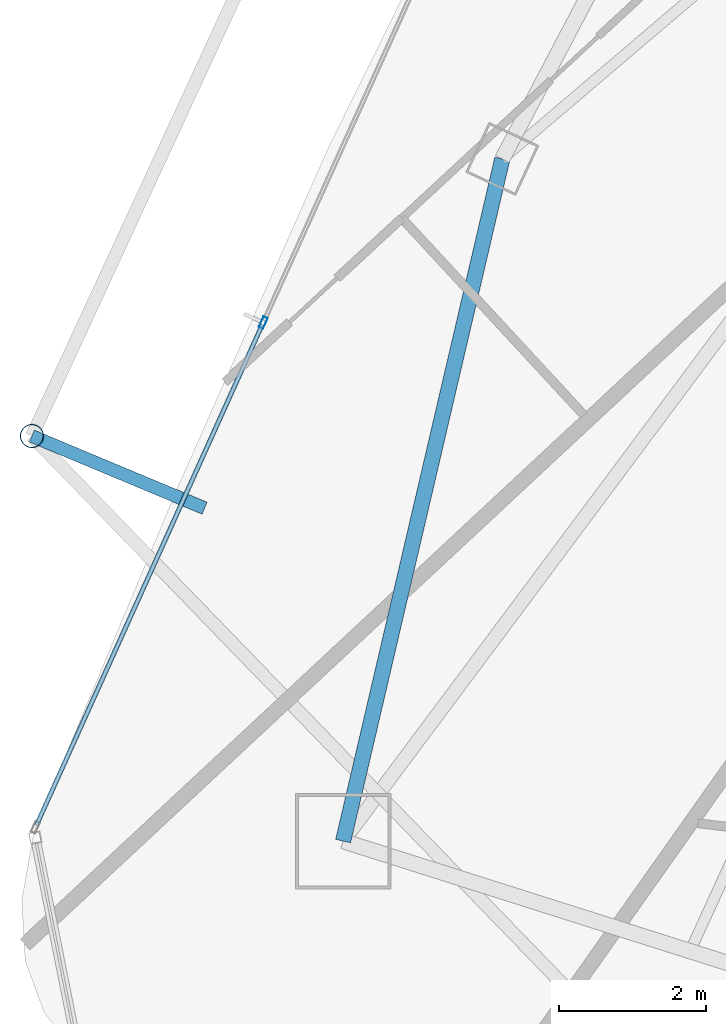
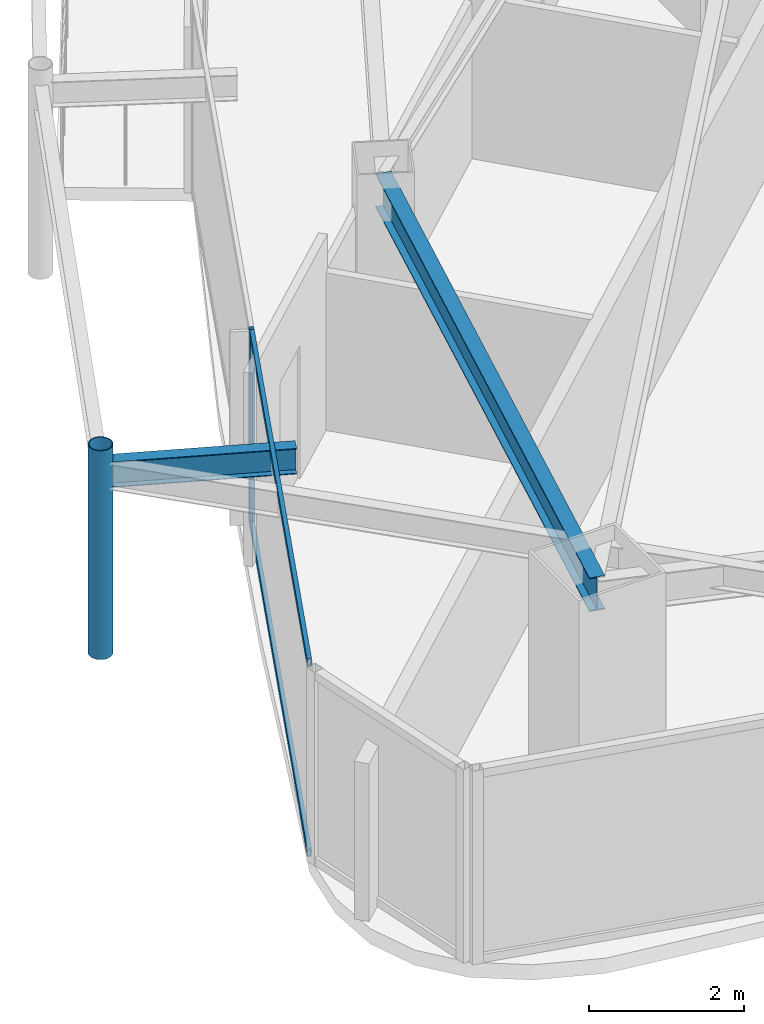
# One storey, part 5 of 32: 4 members, 2 beams, 1 element without a shape of its own.
"""IFC4 building model written with IfcOpenShell, lengths in metres."""

from ifc_helpers import new_model, si_unit, direction, frame, origin, origin_2d, place, context, subcontext, project, spatial, hollow_rectangle, hollow_circle, i_section, extrude, material, layer, layer_set, material_profile, profile_set, type_object, element, aggregate, save


model = new_model("IFC4")

# Units and contexts
model_context = context("Model", 3, precision=1e-05, world=origin(), true_north=direction((0.0, 1.0)))
body_context = subcontext(model_context, "Body", "Model", "MODEL_VIEW")
ifc_project = project(units=[si_unit("LENGTHUNIT", "METRE"), si_unit("AREAUNIT", "SQUARE_METRE"), si_unit("VOLUMEUNIT", "CUBIC_METRE"), si_unit("PLANEANGLEUNIT", "RADIAN"), si_unit("MASSUNIT", "GRAM", prefix="KILO")], contexts=[model_context])

# Site, building, storey
site_placement = place(None, origin())
site = spatial("IfcSite", under=ifc_project, at=site_placement, CompositionType="ELEMENT")
building_placement = place(site_placement, origin())
building = spatial("IfcBuilding", under=site, at=building_placement, Name="Orvanel Arch Residences", CompositionType="ELEMENT")
storey_placement = place(building_placement, frame((0.0, 0.0, 219.5)))
storey = spatial("IfcBuildingStorey", under=building, at=storey_placement, Name="L62", CompositionType="ELEMENT", Elevation=219.5)

# Curtain wall, member
ifc_material_1 = material(Name="Bronze-anodised aluminium AA6063-T6", Category="aluminium")
ifc_layer = layer(ifc_material_1, 0.175048828125)
ifc_layer_set = layer_set([ifc_layer], Name="Bronze-anodised aluminium AA6063-T6")
curtain_wall_type = type_object("IfcCurtainWallType", Name="CW4-HI-SYS", PredefinedType="NOTDEFINED", material=ifc_layer_set)
curtain_wall_placement = place(storey_placement, origin())
curtain_wall = element("IfcCurtainWall", 1, at=curtain_wall_placement, inside=storey, type_object=curtain_wall_type, Name="L62 CW4-HI-SYS Unitised Curtain Wall", PredefinedType="NOTDEFINED")
ifc_material_profile_1 = material_profile(ifc_material_1, hollow_rectangle(XDim=0.06494140625, YDim=0.159912109375, WallThickness=0.00390625, at=origin_2d()), Name="ALU160x65x4")
ifc_profile_set_1 = profile_set([ifc_material_profile_1], Name="Bronze-anodised aluminium AA6063-T6")
member_type_1 = type_object("IfcMemberType", Name="MUL-160x65", PredefinedType="MULLION", material=ifc_profile_set_1)
member_1_placement = place(storey_placement, frame((13.111572265625, 17.41259765625, 0.0), z_axis=(0.0, 0.0, 1.0), x_axis=(0.911480004164, -0.411344383709, 0.0)))
member_1 = element("IfcMember", 2, at=member_1_placement, type_object=member_type_1, Name="CW-S4 mullion 2", PredefinedType="MULLION", context=body_context, shape_type="SweptSolid", body=[
    extrude(hollow_rectangle(XDim=0.06494140625, YDim=0.159912109375, WallThickness=0.00390625, at=origin_2d()), origin(), (0.0, 0.0, 1.0), 3.06005859375),
])

# Beams
ifc_material_2 = material(Name="Structural steel AS/NZS 3679.1 Grade 300 (300 MPa)", Category="steel")
ifc_material_profile_2 = material_profile(ifc_material_2, i_section(OverallWidth=0.177978515625, OverallDepth=0.406005859375, WebThickness=0.0078125, FlangeThickness=0.0126953125, at=origin_2d()), Name="410UB59.7")
ifc_profile_set_2 = profile_set([ifc_material_profile_2], Name="Structural steel AS/NZS 3679.1 Grade 300 (300 MPa)")
beam_type_1 = type_object("IfcBeamType", Name="OB-410UB-EXT", PredefinedType="SPANDREL", material=ifc_profile_set_2)
beam_1_placement = place(storey_placement, frame((12.31298828125, 14.885009765625, 2.85693359375), z_axis=(-0.92267405935, 0.38558083485, 0.0), x_axis=(-0.38558083485, -0.92267405935, 0.0)))
element("IfcBeam", 3, at=beam_1_placement, inside=storey, type_object=beam_type_1, Name="L62 Outer Frame Radial Tie Beam 04", PredefinedType="SPANDREL", context=body_context, shape_type="SweptSolid", body=[
    extrude(i_section(OverallWidth=0.177978515625, OverallDepth=0.406005859375, WebThickness=0.0078125, FlangeThickness=0.0126953125, at=origin_2d()), origin(), (0.0, 0.0, 1.0), 2.549072265625),
])
ifc_material_profile_3 = material_profile(ifc_material_2, i_section(OverallWidth=0.208984375, OverallDepth=0.532958984375, WebThickness=0.01025390625, FlangeThickness=0.015625, at=origin_2d()), Name="530UB92.4")
ifc_profile_set_3 = profile_set([ifc_material_profile_3], Name="Structural steel AS/NZS 3679.1 Grade 300 (300 MPa)")
beam_type_2 = type_object("IfcBeamType", Name="SP-530UB", PredefinedType="SPANDREL", material=ifc_profile_set_3)
beam_2_placement = place(storey_placement, frame((16.366943359375, 19.64208984375, 2.79296875), z_axis=(-0.227236087167, -0.973839699688, 0.0), x_axis=(0.973839699688, -0.227236087167, 0.0)))
element("IfcBeam", 4, at=beam_2_placement, inside=storey, type_object=beam_type_2, Name="L62 Perimeter Spandrel Beam 01", PredefinedType="SPANDREL", context=body_context, shape_type="SweptSolid", body=[
    extrude(i_section(OverallWidth=0.208984375, OverallDepth=0.532958984375, WebThickness=0.01025390625, FlangeThickness=0.015625, at=origin_2d()), origin(), (0.0, 0.0, 1.0), 9.54052734375),
])

# Member
ifc_material_3 = material(Name="Structural steel AS/NZS 1163 C350L0 (Grade 350)", Category="steel")
ifc_material_profile_4 = material_profile(ifc_material_3, hollow_circle(Radius=0.162109375, WallThickness=0.0126953125, at=origin_2d()), Name="CHS324x12.7")
ifc_profile_set_4 = profile_set([ifc_material_profile_4], Name="Structural steel AS/NZS 1163 C350L0 (Grade 350)")
member_type_2 = type_object("IfcMemberType", Name="ST-324CHS-EXT", PredefinedType="STRUT", material=ifc_profile_set_4)
member_2_placement = place(storey_placement, frame((9.9609375, 15.867919921875, 0.0), z_axis=(0.0, 0.0, 1.0), x_axis=(1.0, 0.0, 0.0)))
element("IfcMember", 5, at=member_2_placement, inside=storey, type_object=member_type_2, Name="L62 Outer Perimeter Frame Post 04", PredefinedType="STRUT", context=body_context, shape_type="SweptSolid", body=[
    extrude(hollow_circle(Radius=0.162109375, WallThickness=0.0126953125, at=origin_2d()), origin(), (0.0, 0.0, 1.0), 3.300048828125),
])

ifc_material_profile_5 = material_profile(ifc_material_1, hollow_rectangle(XDim=0.06005859375, YDim=0.1201171875, WallThickness=0.00341796875, at=origin_2d()), Name="ALU120x60x3.5")
ifc_profile_set_5 = profile_set([ifc_material_profile_5], Name="Bronze-anodised aluminium AA6063-T6")
member_type_3 = type_object("IfcMemberType", Name="TRN-120x60", PredefinedType="USERDEFINED", material=ifc_profile_set_5)
member_3_placement = place(storey_placement, frame((13.09814453125, 17.3828125, 0.030029296875), z_axis=(-0.411358348457, -0.911473701845, 0.0), x_axis=(0.911473701845, -0.411358348457, 0.0)))
member_3 = element("IfcMember", 6, at=member_3_placement, type_object=member_type_3, Name="CW-S4 transom 2.1", ObjectType="TRANSOM", PredefinedType="USERDEFINED", context=body_context, shape_type="SweptSolid", body=[
    extrude(hollow_rectangle(XDim=0.06005859375, YDim=0.1201171875, WallThickness=0.00341796875, at=origin_2d()), origin(), (0.0, 0.0, 1.0), 7.476318359375),
])

member_4_placement = place(storey_placement, frame((13.09814453125, 17.3828125, 3.030029296875), z_axis=(-0.411358348457, -0.911473701845, 0.0), x_axis=(0.911473701845, -0.411358348457, 0.0)))
member_4 = element("IfcMember", 7, at=member_4_placement, type_object=member_type_3, Name="CW-S4 transom 2.2", ObjectType="TRANSOM", PredefinedType="USERDEFINED", context=body_context, shape_type="SweptSolid", body=[
    extrude(hollow_rectangle(XDim=0.06005859375, YDim=0.1201171875, WallThickness=0.00341796875, at=origin_2d()), origin(), (0.0, 0.0, 1.0), 7.476318359375),
])

aggregate(curtain_wall, [member_1, member_3, member_4])

save(model, "model.ifc")
